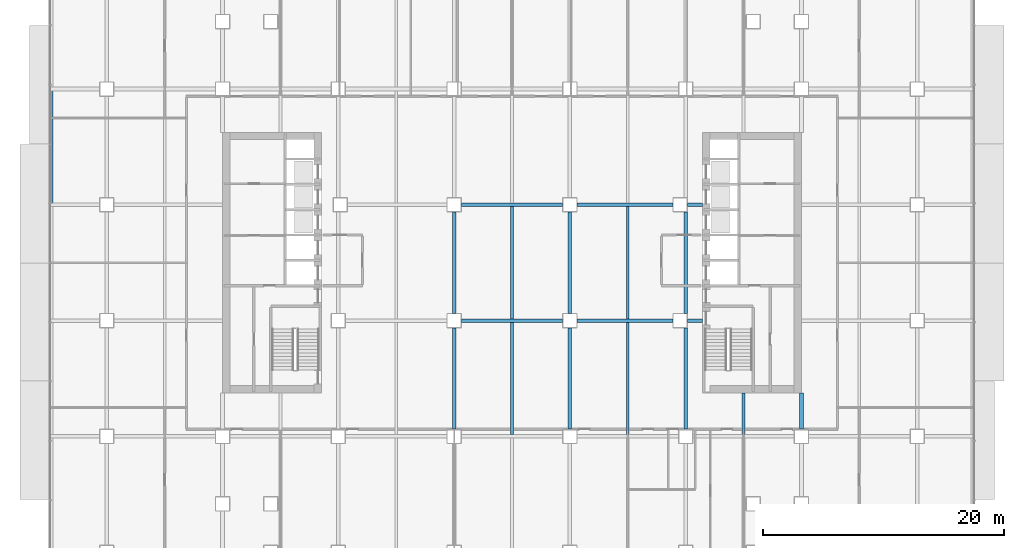
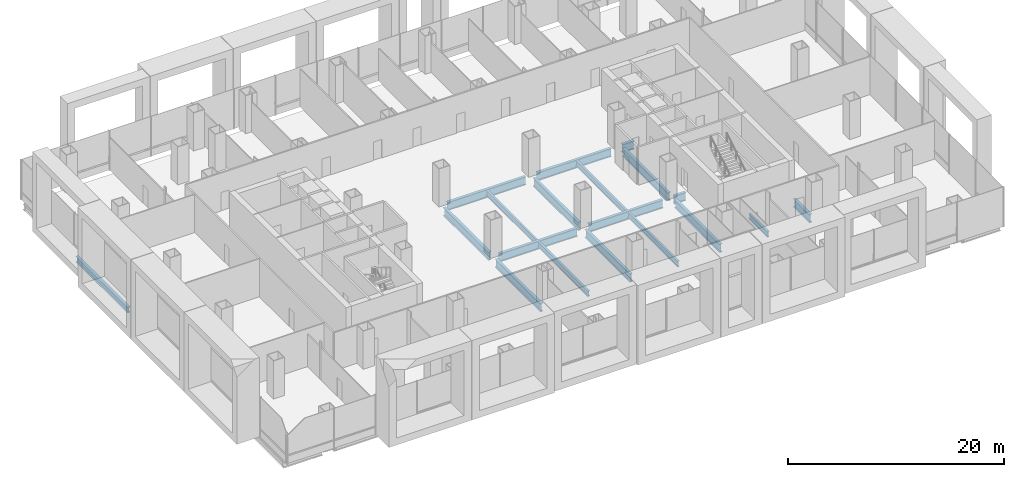
# One storey, part 5 of 23: 19 beams.
"""IFC4 building model written with IfcOpenShell, lengths in metres."""

from ifc_helpers import new_model, si_unit, direction, frame, origin, origin_2d, place, context, subcontext, project, spatial, i_section, extrude, material, material_profile, profile_set, type_object, element, save


model = new_model("IFC4")

# Units and contexts
model_context = context("Model", 3, precision=1e-05, world=origin(), true_north=direction((0.0, 1.0)))
body_context = subcontext(model_context, "Body", "Model", "MODEL_VIEW")
ifc_project = project(units=[si_unit("LENGTHUNIT", "METRE"), si_unit("AREAUNIT", "SQUARE_METRE"), si_unit("VOLUMEUNIT", "CUBIC_METRE"), si_unit("PLANEANGLEUNIT", "RADIAN"), si_unit("MASSUNIT", "GRAM", prefix="KILO")], contexts=[model_context])

# Site, building, storey
site_placement = place(None, origin())
site = spatial("IfcSite", under=ifc_project, at=site_placement, CompositionType="ELEMENT")
building_placement = place(site_placement, origin())
building = spatial("IfcBuilding", under=site, at=building_placement, Name="Cobrizo Arcos Hotel Tower", CompositionType="ELEMENT")
storey_placement = place(building_placement, frame((0.0, 0.0, 15.5)))
storey = spatial("IfcBuildingStorey", under=building, at=storey_placement, Name="L02", CompositionType="ELEMENT", Elevation=15.5)

# Beams
ifc_material = material(Name="Steel ASTM A992 Grade 50", Category="steel")
ifc_material_profile_1 = material_profile(ifc_material, i_section(OverallWidth=0.32763671875, OverallDepth=0.622314453125, WebThickness=0.015380859375, FlangeThickness=0.0244140625, at=origin_2d()), Name="W24X131")
ifc_profile_set_1 = profile_set([ifc_material_profile_1], Name="Steel ASTM A992 Grade 50")
beam_type_1 = type_object("IfcBeamType", Name="W24X131 edge beam", PredefinedType="BEAM", material=ifc_profile_set_1)
beam_1_placement = place(storey_placement, frame((-38.236083984375, 14.39990234375, -0.510986328125), z_axis=(0.0, -1.0, 0.0), x_axis=(1.0, 0.0, 0.0)))
element("IfcBeam", 1, at=beam_1_placement, inside=storey, type_object=beam_type_1, Name="Edge beam EB1, L02, no. 009", PredefinedType="BEAM", context=body_context, shape_type="SweptSolid", body=[
    extrude(i_section(OverallWidth=0.32763671875, OverallDepth=0.622314453125, WebThickness=0.015380859375, FlangeThickness=0.0244140625, at=origin_2d()), origin(), (0.0, 0.0, 1.0), 9.599853515625),
])
ifc_material_profile_2 = material_profile(ifc_material, i_section(OverallWidth=0.23046875, OverallDepth=0.6171875, WebThickness=0.01318359375, FlangeThickness=0.022216796875, at=origin_2d()), Name="W24X94")
ifc_profile_set_2 = profile_set([ifc_material_profile_2], Name="Steel ASTM A992 Grade 50")
beam_type_2 = type_object("IfcBeamType", Name="W24X94 podium joist", PredefinedType="JOIST", material=ifc_profile_set_2)
beam_2_placement = place(storey_placement, frame((0.0, -14.246337890625, -0.508544921875), z_axis=(0.0, 1.0, 0.0), x_axis=(-1.0, 0.0, 0.0)))
element("IfcBeam", 2, at=beam_2_placement, inside=storey, type_object=beam_type_2, Name="Podium joist PJ1, L02, no. 016", PredefinedType="JOIST", context=body_context, shape_type="SweptSolid", body=[
    extrude(i_section(OverallWidth=0.23046875, OverallDepth=0.6171875, WebThickness=0.01318359375, FlangeThickness=0.022216796875, at=origin_2d()), origin(), (0.0, 0.0, 1.0), 9.292724609375),
])
beam_3_placement = place(storey_placement, frame((0.0, -4.646240234375, -0.508544921875), z_axis=(0.0, 1.0, 0.0), x_axis=(-1.0, 0.0, 0.0)))
element("IfcBeam", 3, at=beam_3_placement, inside=storey, type_object=beam_type_2, Name="Podium joist PJ1, L02, no. 017", PredefinedType="JOIST", context=body_context, shape_type="SweptSolid", body=[
    extrude(i_section(OverallWidth=0.23046875, OverallDepth=0.6171875, WebThickness=0.01318359375, FlangeThickness=0.022216796875, at=origin_2d()), origin(), (0.0, 0.0, 1.0), 9.29248046875),
])
beam_4_placement = place(storey_placement, frame((9.60009765625, -14.246337890625, -0.508544921875), z_axis=(0.0, 1.0, 0.0), x_axis=(-1.0, 0.0, 0.0)))
element("IfcBeam", 4, at=beam_4_placement, inside=storey, type_object=beam_type_2, Name="Podium joist PJ1, L02, no. 021", PredefinedType="JOIST", context=body_context, shape_type="SweptSolid", body=[
    extrude(i_section(OverallWidth=0.23046875, OverallDepth=0.6171875, WebThickness=0.01318359375, FlangeThickness=0.022216796875, at=origin_2d()), origin(), (0.0, 0.0, 1.0), 9.292724609375),
])
beam_5_placement = place(storey_placement, frame((9.60009765625, -4.646240234375, -0.508544921875), z_axis=(0.0, 1.0, 0.0), x_axis=(-1.0, 0.0, 0.0)))
element("IfcBeam", 5, at=beam_5_placement, inside=storey, type_object=beam_type_2, Name="Podium joist PJ1, L02, no. 022", PredefinedType="JOIST", context=body_context, shape_type="SweptSolid", body=[
    extrude(i_section(OverallWidth=0.23046875, OverallDepth=0.6171875, WebThickness=0.01318359375, FlangeThickness=0.022216796875, at=origin_2d()), origin(), (0.0, 0.0, 1.0), 9.29248046875),
])
beam_6_placement = place(storey_placement, frame((19.199951171875, -14.246337890625, -0.508544921875), z_axis=(0.0, 1.0, 0.0), x_axis=(-1.0, 0.0, 0.0)))
element("IfcBeam", 6, at=beam_6_placement, inside=storey, type_object=beam_type_2, Name="Podium joist PJ1, L02, no. 026", PredefinedType="JOIST", context=body_context, shape_type="SweptSolid", body=[
    extrude(i_section(OverallWidth=0.23046875, OverallDepth=0.6171875, WebThickness=0.01318359375, FlangeThickness=0.022216796875, at=origin_2d()), origin(), (0.0, 0.0, 1.0), 3.436279296875),
])
ifc_material_profile_3 = material_profile(ifc_material, i_section(OverallWidth=0.307373046875, OverallDepth=0.927001953125, WebThickness=0.01953125, FlangeThickness=0.031982421875, at=origin_2d()), Name="W36X194")
ifc_profile_set_3 = profile_set([ifc_material_profile_3], Name="Steel ASTM A992 Grade 50")
beam_type_3 = type_object("IfcBeamType", Name="W36X194 podium girder", PredefinedType="BEAM", material=ifc_profile_set_3)
beam_7_placement = place(storey_placement, frame((-4.199951171875, -4.800048828125, -0.66357421875), z_axis=(1.0, 0.0, 0.0), x_axis=(0.0, 1.0, 0.0)))
element("IfcBeam", 7, at=beam_7_placement, inside=storey, type_object=beam_type_3, Name="Podium girder PG1, L02, no. 013", PredefinedType="BEAM", context=body_context, shape_type="SweptSolid", body=[
    extrude(i_section(OverallWidth=0.307373046875, OverallDepth=0.927001953125, WebThickness=0.01953125, FlangeThickness=0.031982421875, at=origin_2d()), origin(), (0.0, 0.0, 1.0), 8.39990234375),
])
beam_8_placement = place(storey_placement, frame((5.39990234375, -4.800048828125, -0.66357421875), z_axis=(1.0, 0.0, 0.0), x_axis=(0.0, 1.0, 0.0)))
element("IfcBeam", 8, at=beam_8_placement, inside=storey, type_object=beam_type_3, Name="Podium girder PG1, L02, no. 014", PredefinedType="BEAM", context=body_context, shape_type="SweptSolid", body=[
    extrude(i_section(OverallWidth=0.307373046875, OverallDepth=0.927001953125, WebThickness=0.01953125, FlangeThickness=0.031982421875, at=origin_2d()), origin(), (0.0, 0.0, 1.0), 7.940185546875),
])
beam_9_placement = place(storey_placement, frame((14.5400390625, -4.800048828125, -0.66357421875), z_axis=(1.0, 0.0, 0.0), x_axis=(0.0, 1.0, 0.0)))
element("IfcBeam", 9, at=beam_9_placement, inside=storey, type_object=beam_type_3, Name="Podium girder PG1, L02, no. 015", PredefinedType="BEAM", context=body_context, shape_type="SweptSolid", body=[
    extrude(i_section(OverallWidth=0.307373046875, OverallDepth=0.927001953125, WebThickness=0.01953125, FlangeThickness=0.031982421875, at=origin_2d()), origin(), (0.0, 0.0, 1.0), 1.25),
])
beam_10_placement = place(storey_placement, frame((-4.199951171875, 4.800048828125, -0.66357421875), z_axis=(1.0, 0.0, 0.0), x_axis=(0.0, 1.0, 0.0)))
element("IfcBeam", 10, at=beam_10_placement, inside=storey, type_object=beam_type_3, Name="Podium girder PG1, L02, no. 021", PredefinedType="BEAM", context=body_context, shape_type="SweptSolid", body=[
    extrude(i_section(OverallWidth=0.307373046875, OverallDepth=0.927001953125, WebThickness=0.01953125, FlangeThickness=0.031982421875, at=origin_2d()), origin(), (0.0, 0.0, 1.0), 8.39990234375),
])
beam_11_placement = place(storey_placement, frame((5.39990234375, 4.800048828125, -0.66357421875), z_axis=(1.0, 0.0, 0.0), x_axis=(0.0, 1.0, 0.0)))
element("IfcBeam", 11, at=beam_11_placement, inside=storey, type_object=beam_type_3, Name="Podium girder PG1, L02, no. 022", PredefinedType="BEAM", context=body_context, shape_type="SweptSolid", body=[
    extrude(i_section(OverallWidth=0.307373046875, OverallDepth=0.927001953125, WebThickness=0.01953125, FlangeThickness=0.031982421875, at=origin_2d()), origin(), (0.0, 0.0, 1.0), 7.940185546875),
])
beam_12_placement = place(storey_placement, frame((14.5400390625, 4.800048828125, -0.66357421875), z_axis=(1.0, 0.0, 0.0), x_axis=(0.0, 1.0, 0.0)))
element("IfcBeam", 12, at=beam_12_placement, inside=storey, type_object=beam_type_3, Name="Podium girder PG1, L02, no. 023", PredefinedType="BEAM", context=body_context, shape_type="SweptSolid", body=[
    extrude(i_section(OverallWidth=0.307373046875, OverallDepth=0.927001953125, WebThickness=0.01953125, FlangeThickness=0.031982421875, at=origin_2d()), origin(), (0.0, 0.0, 1.0), 1.25),
])
beam_13_placement = place(storey_placement, frame((-4.800048828125, -13.800048828125, -0.66357421875), z_axis=(0.0, 1.0, 0.0), x_axis=(-1.0, 0.0, 0.0)))
element("IfcBeam", 13, at=beam_13_placement, inside=storey, type_object=beam_type_3, Name="Podium girder PG1, L02, no. 052", PredefinedType="BEAM", context=body_context, shape_type="SweptSolid", body=[
    extrude(i_section(OverallWidth=0.307373046875, OverallDepth=0.927001953125, WebThickness=0.01953125, FlangeThickness=0.031982421875, at=origin_2d()), origin(), (0.0, 0.0, 1.0), 8.400146484375),
])
beam_14_placement = place(storey_placement, frame((-4.800048828125, -4.199951171875, -0.66357421875), z_axis=(0.0, 1.0, 0.0), x_axis=(-1.0, 0.0, 0.0)))
element("IfcBeam", 14, at=beam_14_placement, inside=storey, type_object=beam_type_3, Name="Podium girder PG1, L02, no. 053", PredefinedType="BEAM", context=body_context, shape_type="SweptSolid", body=[
    extrude(i_section(OverallWidth=0.307373046875, OverallDepth=0.927001953125, WebThickness=0.01953125, FlangeThickness=0.031982421875, at=origin_2d()), origin(), (0.0, 0.0, 1.0), 8.39990234375),
])
beam_15_placement = place(storey_placement, frame((4.800048828125, -13.800048828125, -0.66357421875), z_axis=(0.0, 1.0, 0.0), x_axis=(-1.0, 0.0, 0.0)))
element("IfcBeam", 15, at=beam_15_placement, inside=storey, type_object=beam_type_3, Name="Podium girder PG1, L02, no. 057", PredefinedType="BEAM", context=body_context, shape_type="SweptSolid", body=[
    extrude(i_section(OverallWidth=0.307373046875, OverallDepth=0.927001953125, WebThickness=0.01953125, FlangeThickness=0.031982421875, at=origin_2d()), origin(), (0.0, 0.0, 1.0), 8.400146484375),
])
beam_16_placement = place(storey_placement, frame((4.800048828125, -4.199951171875, -0.66357421875), z_axis=(0.0, 1.0, 0.0), x_axis=(-1.0, 0.0, 0.0)))
element("IfcBeam", 16, at=beam_16_placement, inside=storey, type_object=beam_type_3, Name="Podium girder PG1, L02, no. 058", PredefinedType="BEAM", context=body_context, shape_type="SweptSolid", body=[
    extrude(i_section(OverallWidth=0.307373046875, OverallDepth=0.927001953125, WebThickness=0.01953125, FlangeThickness=0.031982421875, at=origin_2d()), origin(), (0.0, 0.0, 1.0), 8.39990234375),
])
beam_17_placement = place(storey_placement, frame((14.39990234375, -13.800048828125, -0.66357421875), z_axis=(0.0, 1.0, 0.0), x_axis=(-1.0, 0.0, 0.0)))
element("IfcBeam", 17, at=beam_17_placement, inside=storey, type_object=beam_type_3, Name="Podium girder PG1, L02, no. 062", PredefinedType="BEAM", context=body_context, shape_type="SweptSolid", body=[
    extrude(i_section(OverallWidth=0.307373046875, OverallDepth=0.927001953125, WebThickness=0.01953125, FlangeThickness=0.031982421875, at=origin_2d()), origin(), (0.0, 0.0, 1.0), 8.400146484375),
])
beam_18_placement = place(storey_placement, frame((14.39990234375, -4.199951171875, -0.66357421875), z_axis=(0.0, 1.0, 0.0), x_axis=(-1.0, 0.0, 0.0)))
element("IfcBeam", 18, at=beam_18_placement, inside=storey, type_object=beam_type_3, Name="Podium girder PG1, L02, no. 063", PredefinedType="BEAM", context=body_context, shape_type="SweptSolid", body=[
    extrude(i_section(OverallWidth=0.307373046875, OverallDepth=0.927001953125, WebThickness=0.01953125, FlangeThickness=0.031982421875, at=origin_2d()), origin(), (0.0, 0.0, 1.0), 8.39990234375),
])
beam_19_placement = place(storey_placement, frame((24.0, -13.800048828125, -0.66357421875), z_axis=(0.0, 1.0, 0.0), x_axis=(-1.0, 0.0, 0.0)))
element("IfcBeam", 19, at=beam_19_placement, inside=storey, type_object=beam_type_3, Name="Podium girder PG1, L02, no. 068", PredefinedType="BEAM", context=body_context, shape_type="SweptSolid", body=[
    extrude(i_section(OverallWidth=0.307373046875, OverallDepth=0.927001953125, WebThickness=0.01953125, FlangeThickness=0.031982421875, at=origin_2d()), origin(), (0.0, 0.0, 1.0), 2.989990234375),
])

save(model, "model.ifc")
